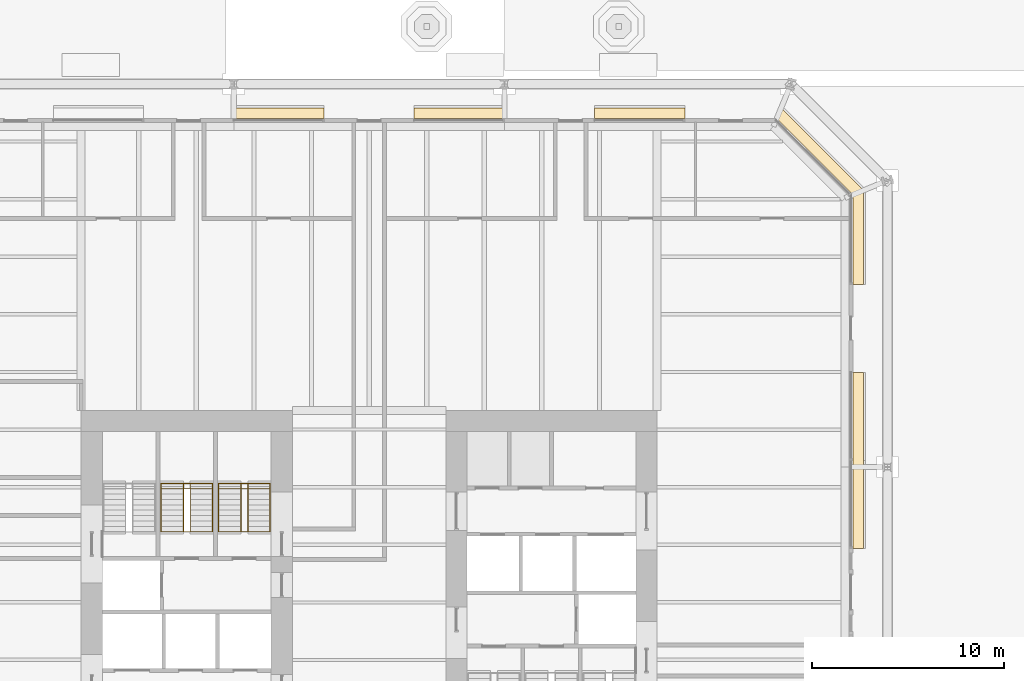
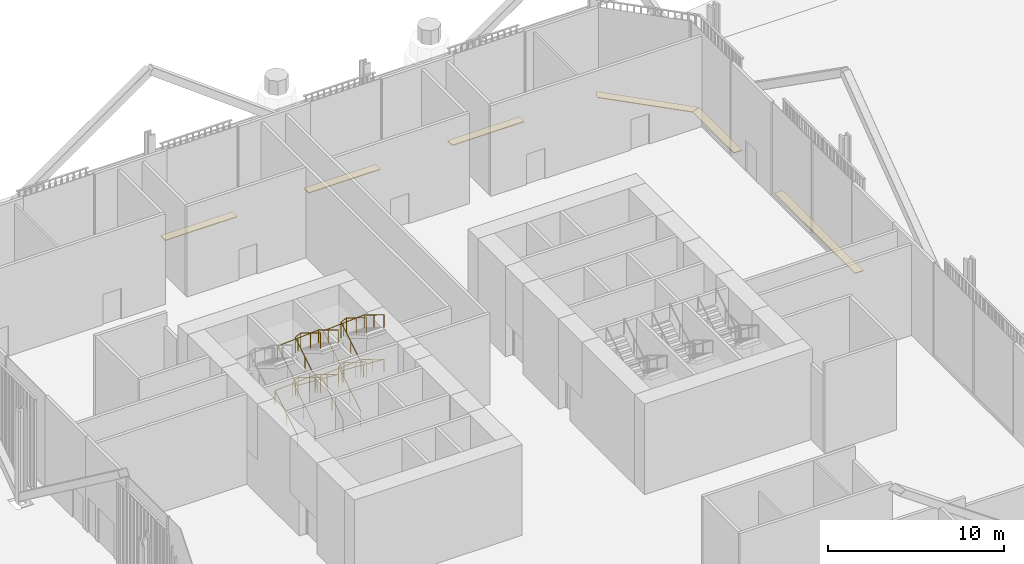
# One storey, part 25 of 28: 6 coverings, 4 railings.
"""IFC4 building model written with IfcOpenShell, lengths in metres."""

from ifc_helpers import new_model, si_unit, direction, frame, origin, origin_2d, place, context, subcontext, project, spatial, polyline, circle, outline, extrude, material, layer, layer_set, type_object, element, save


model = new_model("IFC4")

# Units and contexts
model_context = context("Model", 3, precision=1e-05, world=origin(), true_north=direction((0.0, 1.0)))
body_context = subcontext(model_context, "Body", "Model", "MODEL_VIEW")
ifc_project = project(units=[si_unit("LENGTHUNIT", "METRE"), si_unit("AREAUNIT", "SQUARE_METRE"), si_unit("VOLUMEUNIT", "CUBIC_METRE"), si_unit("PLANEANGLEUNIT", "RADIAN"), si_unit("MASSUNIT", "GRAM", prefix="KILO")], contexts=[model_context])

# Site, building, storey
site_placement = place(None, origin())
site = spatial("IfcSite", under=ifc_project, at=site_placement, CompositionType="ELEMENT")
building_placement = place(site_placement, origin())
building = spatial("IfcBuilding", under=site, at=building_placement, Name="Millrace Tower", CompositionType="ELEMENT")
storey_placement = place(building_placement, origin())
storey = spatial("IfcBuildingStorey", under=building, at=storey_placement, Name="L01", CompositionType="ELEMENT", Elevation=0.0)

# Coverings
ifc_material_1 = material(Name="Steel ASTM A36", Category="steel")
ifc_layer = layer(ifc_material_1, 0.050048828125)
ifc_layer_set = layer_set([ifc_layer], Name="Steel ASTM A36")
covering_type = type_object("IfcCoveringType", Name="CAVITY CATWALK steel grating", PredefinedType="FLOORING", material=ifc_layer_set)
placement = place(storey_placement, frame((0.0, 0.0, 0.10009765625)))
element("IfcCovering", 1, at=placement, inside=storey, type_object=covering_type, Name="Cavity catwalk grating AW1-F02 L01 3", PredefinedType="FLOORING", context=body_context, shape_type="SweptSolid", body=[
    extrude(outline(polyline([(25.75, 2.816650390625), (25.75, 11.9833984375), (25.199951171875, 11.9833984375), (25.199951171875, 2.816650390625), (25.75, 2.816650390625)])), origin(), (0.0, 0.0, 1.0), 0.0498046875),
])
element("IfcCovering", 2, at=placement, inside=storey, type_object=covering_type, Name="Cavity catwalk grating AW1-F02 L01 4", PredefinedType="FLOORING", context=body_context, shape_type="SweptSolid", body=[
    extrude(outline(polyline([(25.75, 16.566650390625), (25.75, 21.460693359375), (25.199951171875, 21.23291015625), (25.199951171875, 16.566650390625), (25.75, 16.566650390625)])), origin(), (0.0, 0.0, 1.0), 0.0498046875),
])
element("IfcCovering", 3, at=placement, inside=storey, type_object=covering_type, Name="Cavity catwalk grating AW1-F03 L01 1", PredefinedType="FLOORING", context=body_context, shape_type="SweptSolid", body=[
    extrude(outline(polyline([(25.75, 21.460693359375), (21.460693359375, 25.75), (21.23291015625, 25.199951171875), (25.199951171875, 21.23291015625), (25.75, 21.460693359375)])), origin(), (0.0, 0.0, 1.0), 0.0498046875),
])
element("IfcCovering", 4, at=placement, inside=storey, type_object=covering_type, Name="Cavity catwalk grating AW1-F04 L01 1", PredefinedType="FLOORING", context=body_context, shape_type="SweptSolid", body=[
    extrude(outline(polyline([(16.449951171875, 25.75), (11.75, 25.75), (11.75, 25.199951171875), (16.449951171875, 25.199951171875), (16.449951171875, 25.75)])), origin(), (0.0, 0.0, 1.0), 0.0498046875),
])
element("IfcCovering", 5, at=placement, inside=storey, type_object=covering_type, Name="Cavity catwalk grating AW1-F04 L01 2", PredefinedType="FLOORING", context=body_context, shape_type="SweptSolid", body=[
    extrude(outline(polyline([(7.050048828125, 25.75), (2.35009765625, 25.75), (2.35009765625, 25.199951171875), (7.050048828125, 25.199951171875), (7.050048828125, 25.75)])), origin(), (0.0, 0.0, 1.0), 0.0498046875),
])
element("IfcCovering", 6, at=placement, inside=storey, type_object=covering_type, Name="Cavity catwalk grating AW1-F04 L01 3", PredefinedType="FLOORING", context=body_context, shape_type="SweptSolid", body=[
    extrude(outline(polyline([(-2.35009765625, 25.75), (-7.050048828125, 25.75), (-7.050048828125, 25.199951171875), (-2.35009765625, 25.199951171875), (-2.35009765625, 25.75)])), origin(), (0.0, 0.0, 1.0), 0.0498046875),
])

# Railings
ifc_material_2 = material(Name="Stainless steel ASTM A240 type 316", Category="steel")
railing_type_1 = type_object("IfcRailingType", Name="Stair guard 1100", PredefinedType="GUARDRAIL", material=ifc_material_2)
railing_1_placement = place(storey_placement, frame((-9.679931640625, 3.679931640625, 0.171142578125)))
element("IfcRailing", 7, at=railing_1_placement, inside=storey, type_object=railing_type_1, Name="Stair guard 2 W L01", PredefinedType="GUARDRAIL", context=body_context, shape_type="SweptSolid", body=[
    extrude(circle(Radius=0.02392578125, at=origin_2d()), frame((0.0, 0.0, 1.076171875), z_axis=(0.0, 0.853388087904, 0.521276099034), x_axis=(-1.0, 0.0, 0.0)), (0.0, 0.0, 1.0), 2.952880859375),
    extrude(circle(Radius=0.02392578125, at=origin_2d()), frame((0.0, 2.52001953125, 2.615234375), z_axis=(0.903075576361, 0.0, 0.42948166827), x_axis=(0.0, 1.0, 0.0)), (0.0, 0.0, 1.0), 0.3984375),
    extrude(circle(Radius=0.02392578125, at=origin_2d()), frame((0.35986328125, 2.52001953125, 2.78662109375), z_axis=(0.0, -0.853351308602, 0.521336306147), x_axis=(1.0, 0.0, 0.0)), (0.0, 0.0, 1.0), 2.953125),
    extrude(circle(Radius=0.02392578125, at=origin_2d()), frame((0.35986328125, 0.0, 4.326171875), z_axis=(-0.903313127325, 0.0, 0.428981810806), x_axis=(0.0, -1.0, 0.0)), (0.0, 0.0, 1.0), 0.3984375),
    extrude(circle(Radius=0.02392578125, at=origin_2d()), frame((0.0, 0.0, 4.4970703125), z_axis=(0.0, 0.853362292397, 0.521318326854), x_axis=(-1.0, 0.0, 0.0)), (0.0, 0.0, 1.0), 2.625),
    extrude(circle(Radius=0.02392578125, at=origin_2d()), frame((0.0, 2.239990234375, 5.865234375), z_axis=(0.903075576361, 0.0, 0.42948166827), x_axis=(0.0, 1.0, 0.0)), (0.0, 0.0, 1.0), 0.3984375),
    extrude(circle(Radius=0.02392578125, at=origin_2d()), frame((0.35986328125, 2.239990234375, 6.03662109375), z_axis=(0.0, -0.853362292397, 0.521318326854), x_axis=(1.0, 0.0, 0.0)), (0.0, 0.0, 1.0), 2.625),
    extrude(circle(Radius=0.02099609375, at=origin_2d()), origin(), (0.0, 0.0, 1.0), 1.052001953125),
    extrude(circle(Radius=0.02099609375, at=origin_2d()), frame((0.0, 1.260009765625, 0.76953125)), (0.0, 0.0, 1.0), 1.052001953125),
    extrude(circle(Radius=0.02099609375, at=origin_2d()), frame((0.0, 2.52001953125, 1.539306640625)), (0.0, 0.0, 1.0), 1.052001953125),
    extrude(circle(Radius=0.02099609375, at=origin_2d()), frame((0.35986328125, 2.52001953125, 1.71044921875)), (0.0, 0.0, 1.0), 1.052001953125),
    extrude(circle(Radius=0.02099609375, at=origin_2d()), frame((0.35986328125, 1.260009765625, 2.480224609375)), (0.0, 0.0, 1.0), 1.052001953125),
    extrude(circle(Radius=0.02099609375, at=origin_2d()), frame((0.35986328125, 0.0, 3.25)), (0.0, 0.0, 1.0), 1.052001953125),
    extrude(circle(Radius=0.02099609375, at=origin_2d()), frame((0.0, 0.0, 3.4208984375)), (0.0, 0.0, 1.0), 1.052001953125),
    extrude(circle(Radius=0.02099609375, at=origin_2d()), frame((0.0, 1.1201171875, 4.10498046875)), (0.0, 0.0, 1.0), 1.052001953125),
    extrude(circle(Radius=0.02099609375, at=origin_2d()), frame((0.0, 2.239990234375, 4.789306640625)), (0.0, 0.0, 1.0), 1.052001953125),
    extrude(circle(Radius=0.02099609375, at=origin_2d()), frame((0.35986328125, 2.239990234375, 4.96044921875)), (0.0, 0.0, 1.0), 1.052001953125),
    extrude(circle(Radius=0.02099609375, at=origin_2d()), frame((0.35986328125, 1.1201171875, 5.64453125)), (0.0, 0.0, 1.0), 1.052001953125),
    extrude(circle(Radius=0.02099609375, at=origin_2d()), frame((0.35986328125, 0.0, 6.328857421875)), (0.0, 0.0, 1.0), 1.052001953125),
])
railing_2_placement = place(storey_placement, frame((-6.679931640625, 3.679931640625, 0.171142578125)))
element("IfcRailing", 8, at=railing_2_placement, inside=storey, type_object=railing_type_1, Name="Stair guard 3 W L01", PredefinedType="GUARDRAIL", context=body_context, shape_type="SweptSolid", body=[
    extrude(circle(Radius=0.02392578125, at=origin_2d()), frame((0.0, 0.0, 1.076171875), z_axis=(0.0, 0.853388087904, 0.521276099034), x_axis=(-1.0, 0.0, 0.0)), (0.0, 0.0, 1.0), 2.952880859375),
    extrude(circle(Radius=0.02392578125, at=origin_2d()), frame((0.0, 2.52001953125, 2.615234375), z_axis=(0.903075576361, 0.0, 0.42948166827), x_axis=(0.0, 1.0, 0.0)), (0.0, 0.0, 1.0), 0.3984375),
    extrude(circle(Radius=0.02392578125, at=origin_2d()), frame((0.35986328125, 2.52001953125, 2.78662109375), z_axis=(0.0, -0.853351308602, 0.521336306147), x_axis=(1.0, 0.0, 0.0)), (0.0, 0.0, 1.0), 2.953125),
    extrude(circle(Radius=0.02392578125, at=origin_2d()), frame((0.35986328125, 0.0, 4.326171875), z_axis=(-0.903313127325, 0.0, 0.428981810806), x_axis=(0.0, -1.0, 0.0)), (0.0, 0.0, 1.0), 0.3984375),
    extrude(circle(Radius=0.02392578125, at=origin_2d()), frame((0.0, 0.0, 4.4970703125), z_axis=(0.0, 0.853362292397, 0.521318326854), x_axis=(-1.0, 0.0, 0.0)), (0.0, 0.0, 1.0), 2.625),
    extrude(circle(Radius=0.02392578125, at=origin_2d()), frame((0.0, 2.239990234375, 5.865234375), z_axis=(0.903075576361, 0.0, 0.42948166827), x_axis=(0.0, 1.0, 0.0)), (0.0, 0.0, 1.0), 0.3984375),
    extrude(circle(Radius=0.02392578125, at=origin_2d()), frame((0.35986328125, 2.239990234375, 6.03662109375), z_axis=(0.0, -0.853362292397, 0.521318326854), x_axis=(1.0, 0.0, 0.0)), (0.0, 0.0, 1.0), 2.625),
    extrude(circle(Radius=0.02099609375, at=origin_2d()), origin(), (0.0, 0.0, 1.0), 1.052001953125),
    extrude(circle(Radius=0.02099609375, at=origin_2d()), frame((0.0, 1.260009765625, 0.76953125)), (0.0, 0.0, 1.0), 1.052001953125),
    extrude(circle(Radius=0.02099609375, at=origin_2d()), frame((0.0, 2.52001953125, 1.539306640625)), (0.0, 0.0, 1.0), 1.052001953125),
    extrude(circle(Radius=0.02099609375, at=origin_2d()), frame((0.35986328125, 2.52001953125, 1.71044921875)), (0.0, 0.0, 1.0), 1.052001953125),
    extrude(circle(Radius=0.02099609375, at=origin_2d()), frame((0.35986328125, 1.260009765625, 2.480224609375)), (0.0, 0.0, 1.0), 1.052001953125),
    extrude(circle(Radius=0.02099609375, at=origin_2d()), frame((0.35986328125, 0.0, 3.25)), (0.0, 0.0, 1.0), 1.052001953125),
    extrude(circle(Radius=0.02099609375, at=origin_2d()), frame((0.0, 0.0, 3.4208984375)), (0.0, 0.0, 1.0), 1.052001953125),
    extrude(circle(Radius=0.02099609375, at=origin_2d()), frame((0.0, 1.1201171875, 4.10498046875)), (0.0, 0.0, 1.0), 1.052001953125),
    extrude(circle(Radius=0.02099609375, at=origin_2d()), frame((0.0, 2.239990234375, 4.789306640625)), (0.0, 0.0, 1.0), 1.052001953125),
    extrude(circle(Radius=0.02099609375, at=origin_2d()), frame((0.35986328125, 2.239990234375, 4.96044921875)), (0.0, 0.0, 1.0), 1.052001953125),
    extrude(circle(Radius=0.02099609375, at=origin_2d()), frame((0.35986328125, 1.1201171875, 5.64453125)), (0.0, 0.0, 1.0), 1.052001953125),
    extrude(circle(Radius=0.02099609375, at=origin_2d()), frame((0.35986328125, 0.0, 6.328857421875)), (0.0, 0.0, 1.0), 1.052001953125),
])
ifc_material_3 = material(Name="Stainless steel ASTM A240 type 316", Category="steel")
railing_type_2 = type_object("IfcRailingType", Name="Stair handrail 900", PredefinedType="HANDRAIL", material=ifc_material_3)
railing_3_placement = place(storey_placement, frame((-10.840087890625, 3.679931640625, 0.171142578125)))
element("IfcRailing", 9, at=railing_3_placement, inside=storey, type_object=railing_type_2, Name="Stair handrail 2 W L01", PredefinedType="HANDRAIL", context=body_context, shape_type="SweptSolid", body=[
    extrude(circle(Radius=0.02392578125, at=origin_2d()), frame((0.0, 0.0, 0.8759765625), z_axis=(0.0, 0.853388087904, 0.521276099034), x_axis=(-1.0, 0.0, 0.0)), (0.0, 0.0, 1.0), 2.952880859375),
    extrude(circle(Radius=0.02392578125, at=origin_2d()), frame((0.0, 2.52001953125, 2.4150390625), z_axis=(0.99796748411, 0.0, 0.063725196426), x_axis=(0.0, 1.0, 0.0)), (0.0, 0.0, 1.0), 2.685546875),
    extrude(circle(Radius=0.02392578125, at=origin_2d()), frame((2.68017578125, 2.52001953125, 2.58642578125), z_axis=(0.0, -0.853351308602, 0.521336306147), x_axis=(1.0, 0.0, 0.0)), (0.0, 0.0, 1.0), 2.953125),
    extrude(circle(Radius=0.02392578125, at=origin_2d()), frame((2.68017578125, 0.0, 4.1259765625), z_axis=(-0.997973261273, 0.0, 0.063634658671), x_axis=(0.0, -1.0, 0.0)), (0.0, 0.0, 1.0), 2.685546875),
    extrude(circle(Radius=0.02392578125, at=origin_2d()), frame((0.0, 0.0, 4.296875), z_axis=(0.0, 0.853362292397, 0.521318326854), x_axis=(-1.0, 0.0, 0.0)), (0.0, 0.0, 1.0), 2.625),
    extrude(circle(Radius=0.02392578125, at=origin_2d()), frame((0.0, 2.239990234375, 5.6650390625), z_axis=(0.99796748411, 0.0, 0.063725196426), x_axis=(0.0, 1.0, 0.0)), (0.0, 0.0, 1.0), 2.685546875),
    extrude(circle(Radius=0.02392578125, at=origin_2d()), frame((2.68017578125, 2.239990234375, 5.83642578125), z_axis=(0.0, -0.853362292397, 0.521318326854), x_axis=(1.0, 0.0, 0.0)), (0.0, 0.0, 1.0), 2.625),
    extrude(circle(Radius=0.02099609375, at=origin_2d()), origin(), (0.0, 0.0, 1.0), 0.851806640625),
    extrude(circle(Radius=0.02099609375, at=origin_2d()), frame((0.0, 1.260009765625, 0.76953125)), (0.0, 0.0, 1.0), 0.851806640625),
    extrude(circle(Radius=0.02099609375, at=origin_2d()), frame((0.0, 2.52001953125, 1.539306640625)), (0.0, 0.0, 1.0), 0.851806640625),
    extrude(circle(Radius=0.02099609375, at=origin_2d()), frame((1.340087890625, 2.52001953125, 1.625)), (0.0, 0.0, 1.0), 0.851806640625),
    extrude(circle(Radius=0.02099609375, at=origin_2d()), frame((2.68017578125, 2.52001953125, 1.71044921875)), (0.0, 0.0, 1.0), 0.851806640625),
    extrude(circle(Radius=0.02099609375, at=origin_2d()), frame((2.68017578125, 1.260009765625, 2.480224609375)), (0.0, 0.0, 1.0), 0.851806640625),
    extrude(circle(Radius=0.02099609375, at=origin_2d()), frame((2.68017578125, 0.0, 3.25)), (0.0, 0.0, 1.0), 0.851806640625),
    extrude(circle(Radius=0.02099609375, at=origin_2d()), frame((1.340087890625, 0.0, 3.33544921875)), (0.0, 0.0, 1.0), 0.851806640625),
    extrude(circle(Radius=0.02099609375, at=origin_2d()), frame((0.0, 0.0, 3.4208984375)), (0.0, 0.0, 1.0), 0.851806640625),
    extrude(circle(Radius=0.02099609375, at=origin_2d()), frame((0.0, 1.1201171875, 4.10498046875)), (0.0, 0.0, 1.0), 0.851806640625),
    extrude(circle(Radius=0.02099609375, at=origin_2d()), frame((0.0, 2.239990234375, 4.789306640625)), (0.0, 0.0, 1.0), 0.851806640625),
    extrude(circle(Radius=0.02099609375, at=origin_2d()), frame((1.340087890625, 2.239990234375, 4.875)), (0.0, 0.0, 1.0), 0.851806640625),
    extrude(circle(Radius=0.02099609375, at=origin_2d()), frame((2.68017578125, 2.239990234375, 4.96044921875)), (0.0, 0.0, 1.0), 0.851806640625),
    extrude(circle(Radius=0.02099609375, at=origin_2d()), frame((2.68017578125, 1.1201171875, 5.64453125)), (0.0, 0.0, 1.0), 0.851806640625),
    extrude(circle(Radius=0.02099609375, at=origin_2d()), frame((2.68017578125, 0.0, 6.328857421875)), (0.0, 0.0, 1.0), 0.851806640625),
])
railing_4_placement = place(storey_placement, frame((-7.840087890625, 3.679931640625, 0.171142578125)))
element("IfcRailing", 10, at=railing_4_placement, inside=storey, type_object=railing_type_2, Name="Stair handrail 3 W L01", PredefinedType="HANDRAIL", context=body_context, shape_type="SweptSolid", body=[
    extrude(circle(Radius=0.02392578125, at=origin_2d()), frame((0.0, 0.0, 0.8759765625), z_axis=(0.0, 0.853388087904, 0.521276099034), x_axis=(-1.0, 0.0, 0.0)), (0.0, 0.0, 1.0), 2.952880859375),
    extrude(circle(Radius=0.02392578125, at=origin_2d()), frame((0.0, 2.52001953125, 2.4150390625), z_axis=(0.99796748411, 0.0, 0.063725196426), x_axis=(0.0, 1.0, 0.0)), (0.0, 0.0, 1.0), 2.685546875),
    extrude(circle(Radius=0.02392578125, at=origin_2d()), frame((2.68017578125, 2.52001953125, 2.58642578125), z_axis=(0.0, -0.853351308602, 0.521336306147), x_axis=(1.0, 0.0, 0.0)), (0.0, 0.0, 1.0), 2.953125),
    extrude(circle(Radius=0.02392578125, at=origin_2d()), frame((2.68017578125, 0.0, 4.1259765625), z_axis=(-0.997973261273, 0.0, 0.063634658671), x_axis=(0.0, -1.0, 0.0)), (0.0, 0.0, 1.0), 2.685546875),
    extrude(circle(Radius=0.02392578125, at=origin_2d()), frame((0.0, 0.0, 4.296875), z_axis=(0.0, 0.853362292397, 0.521318326854), x_axis=(-1.0, 0.0, 0.0)), (0.0, 0.0, 1.0), 2.625),
    extrude(circle(Radius=0.02392578125, at=origin_2d()), frame((0.0, 2.239990234375, 5.6650390625), z_axis=(0.99796748411, 0.0, 0.063725196426), x_axis=(0.0, 1.0, 0.0)), (0.0, 0.0, 1.0), 2.685546875),
    extrude(circle(Radius=0.02392578125, at=origin_2d()), frame((2.68017578125, 2.239990234375, 5.83642578125), z_axis=(0.0, -0.853362292397, 0.521318326854), x_axis=(1.0, 0.0, 0.0)), (0.0, 0.0, 1.0), 2.625),
    extrude(circle(Radius=0.02099609375, at=origin_2d()), origin(), (0.0, 0.0, 1.0), 0.851806640625),
    extrude(circle(Radius=0.02099609375, at=origin_2d()), frame((0.0, 1.260009765625, 0.76953125)), (0.0, 0.0, 1.0), 0.851806640625),
    extrude(circle(Radius=0.02099609375, at=origin_2d()), frame((0.0, 2.52001953125, 1.539306640625)), (0.0, 0.0, 1.0), 0.851806640625),
    extrude(circle(Radius=0.02099609375, at=origin_2d()), frame((1.340087890625, 2.52001953125, 1.625)), (0.0, 0.0, 1.0), 0.851806640625),
    extrude(circle(Radius=0.02099609375, at=origin_2d()), frame((2.68017578125, 2.52001953125, 1.71044921875)), (0.0, 0.0, 1.0), 0.851806640625),
    extrude(circle(Radius=0.02099609375, at=origin_2d()), frame((2.68017578125, 1.260009765625, 2.480224609375)), (0.0, 0.0, 1.0), 0.851806640625),
    extrude(circle(Radius=0.02099609375, at=origin_2d()), frame((2.68017578125, 0.0, 3.25)), (0.0, 0.0, 1.0), 0.851806640625),
    extrude(circle(Radius=0.02099609375, at=origin_2d()), frame((1.340087890625, 0.0, 3.33544921875)), (0.0, 0.0, 1.0), 0.851806640625),
    extrude(circle(Radius=0.02099609375, at=origin_2d()), frame((0.0, 0.0, 3.4208984375)), (0.0, 0.0, 1.0), 0.851806640625),
    extrude(circle(Radius=0.02099609375, at=origin_2d()), frame((0.0, 1.1201171875, 4.10498046875)), (0.0, 0.0, 1.0), 0.851806640625),
    extrude(circle(Radius=0.02099609375, at=origin_2d()), frame((0.0, 2.239990234375, 4.789306640625)), (0.0, 0.0, 1.0), 0.851806640625),
    extrude(circle(Radius=0.02099609375, at=origin_2d()), frame((1.340087890625, 2.239990234375, 4.875)), (0.0, 0.0, 1.0), 0.851806640625),
    extrude(circle(Radius=0.02099609375, at=origin_2d()), frame((2.68017578125, 2.239990234375, 4.96044921875)), (0.0, 0.0, 1.0), 0.851806640625),
    extrude(circle(Radius=0.02099609375, at=origin_2d()), frame((2.68017578125, 1.1201171875, 5.64453125)), (0.0, 0.0, 1.0), 0.851806640625),
    extrude(circle(Radius=0.02099609375, at=origin_2d()), frame((2.68017578125, 0.0, 6.328857421875)), (0.0, 0.0, 1.0), 0.851806640625),
])

save(model, "model.ifc")
